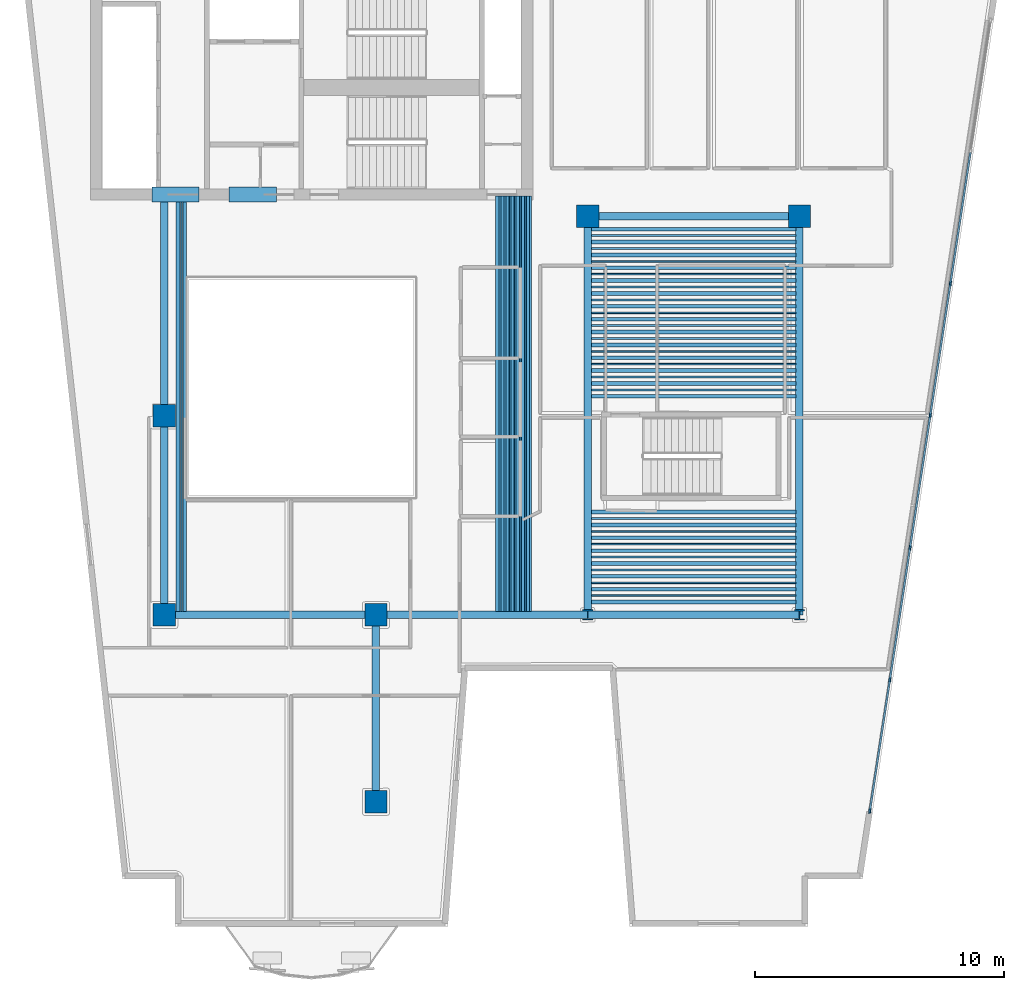
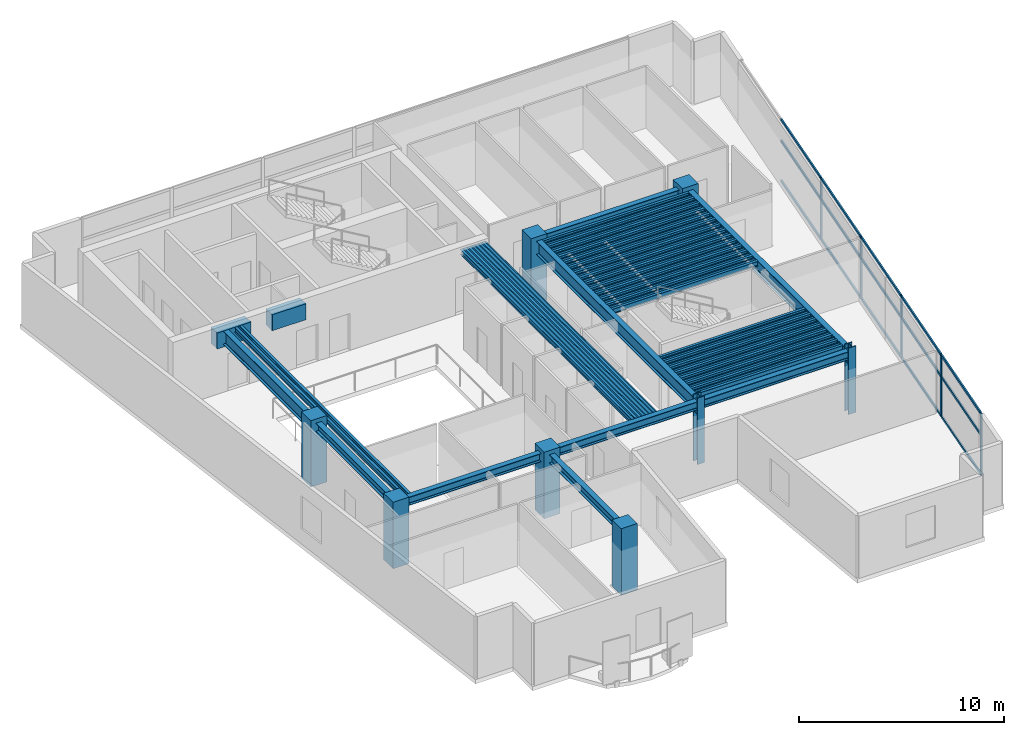
# One storey, part 1 of 8: 70 beams, 20 members, 8 columns, 1 element without a shape of its own.
"""IFC4 building model written with IfcOpenShell, lengths in metres."""

from ifc_helpers import new_model, si_unit, direction, frame, origin, origin_2d, place, context, subcontext, project, spatial, rectangle, hollow_rectangle, i_section, extrude, material, layer, layer_set, material_profile, profile_set, type_object, element, aggregate, save


model = new_model("IFC4")

# Units and contexts
model_context = context("Model", 3, precision=1e-05, world=origin(), true_north=direction((0.0, 1.0)))
body_context = subcontext(model_context, "Body", "Model", "MODEL_VIEW")
ifc_project = project(units=[si_unit("LENGTHUNIT", "METRE"), si_unit("AREAUNIT", "SQUARE_METRE"), si_unit("VOLUMEUNIT", "CUBIC_METRE"), si_unit("PLANEANGLEUNIT", "RADIAN"), si_unit("MASSUNIT", "GRAM", prefix="KILO")], contexts=[model_context])

# Site, building, storey
site_placement = place(None, origin())
site = spatial("IfcSite", under=ifc_project, at=site_placement, CompositionType="ELEMENT")
building_placement = place(site_placement, origin())
building = spatial("IfcBuilding", under=site, at=building_placement, Name="Caeloran Harvest Quay", CompositionType="ELEMENT")
storey_placement = place(building_placement, frame((0.0, 0.0, 243.0)))
storey = spatial("IfcBuildingStorey", under=building, at=storey_placement, Name="L58", CompositionType="ELEMENT", Elevation=243.0)

# Columns
ifc_material_1 = material(Name="Concrete C60/75", Category="concrete")
ifc_material_profile_1 = material_profile(ifc_material_1, rectangle(XDim=0.89990234375, YDim=0.89990234375, at=origin_2d()), Name="RC 900x900")
ifc_profile_set_1 = profile_set([ifc_material_profile_1], Name="Concrete C60/75")
column_type_1 = type_object("IfcColumnType", Name="COL-MC-4-RC_900x900", PredefinedType="COLUMN", material=ifc_profile_set_1)
for number, where, z_axis, x_axis, name in (
    (1, (8.5, 15.0, 0.0), (0.0, 0.0, 1.0), (1.0, 0.0, 0.0), "L58 Structural Column (8.5, 15.0)"),
    (2, (8.5, 23.0, 0.0), (0.0, 0.0, 1.0), (1.0, 0.0, 0.0), "L58 Structural Column (8.5, 23.0)"),
    (3, (17.0, 7.5, 0.0), (0.0, 0.0, 1.0), (1.0, 0.0, 0.0), "L58 Structural Column (17.0, 7.5)"),
    (4, (17.0, 15.0, 0.0), (0.0, 0.0, 1.0), (1.0, 0.0, 0.0), "L58 Structural Column (17.0, 15.0)"),
    (5, (25.5, 31.0, 0.0), (0.0, 0.0, 1.0), (1.0, 0.0, 0.0), "L58 Structural Column (25.5, 31.0)"),
    (6, (34.0, 31.0, 0.0), (0.0, 0.0, 1.0), (1.0, 0.0, 0.0), "L58 Structural Column (34.0, 31.0)"),
):
    element("IfcColumn", number, at=place(storey_placement, frame(where, z_axis=z_axis, x_axis=x_axis)), inside=storey, type_object=column_type_1, Name=name, PredefinedType="COLUMN", context=body_context, shape_type="SweptSolid", body=[
        extrude(rectangle(XDim=0.89990234375, YDim=0.89990234375, at=origin_2d()), origin(), (0.0, 0.0, 1.0), 3.949951171875),
    ])
ifc_material_2 = material(Name="Steel HISTAR 460", Category="steel")
ifc_material_profile_2 = material_profile(ifc_material_2, i_section(OverallWidth=0.406005859375, OverallDepth=0.416015625, WebThickness=0.02978515625, FlangeThickness=0.048095703125, FilletRadius=0.014892578125, at=origin_2d()), Name="HD 400x382")
ifc_profile_set_2 = profile_set([ifc_material_profile_2], Name="Steel HISTAR 460")
column_type_2 = type_object("IfcColumnType", Name="COL-SC-5-HD_400x382", PredefinedType="COLUMN", material=ifc_profile_set_2)
for number, where, z_axis, x_axis, name in (
    (7, (25.5, 15.0, 0.0), (0.0, 0.0, 1.0), (1.0, 0.0, 0.0), "L58 Structural Column (25.5, 15.0)"),
    (8, (34.0, 15.0, 0.0), (0.0, 0.0, 1.0), (1.0, 0.0, 0.0), "L58 Structural Column (34.0, 15.0)"),
):
    element("IfcColumn", number, at=place(storey_placement, frame(where, z_axis=z_axis, x_axis=x_axis)), inside=storey, type_object=column_type_2, Name=name, PredefinedType="COLUMN", context=body_context, shape_type="SweptSolid", body=[
        extrude(i_section(OverallWidth=0.406005859375, OverallDepth=0.416015625, WebThickness=0.02978515625, FlangeThickness=0.048095703125, FilletRadius=0.014892578125, at=origin_2d()), origin(), (0.0, 0.0, 1.0), 3.949951171875),
    ])

# Beams
ifc_material_profile_3 = material_profile(ifc_material_1, rectangle(XDim=0.60009765625, YDim=0.949951171875, at=origin_2d()), Name="RC 600x950")
ifc_profile_set_3 = profile_set([ifc_material_profile_3], Name="Concrete C60/75")
beam_type_1 = type_object("IfcBeamType", Name="BM-CB-2-RC_600x950", PredefinedType="LINTEL", material=ifc_profile_set_3)
for number, where, z_axis, x_axis, name in (
    (9, (8.0, 31.875, 3.22509765625), (1.0, 0.0, 0.0), (0.0, 1.0, 0.0), "L58 Core Coupling Beam 1"),
    (10, (11.10009765625, 31.875, 3.22509765625), (1.0, 0.0, 0.0), (0.0, 1.0, 0.0), "L58 Core Coupling Beam 2"),
):
    element("IfcBeam", number, at=place(storey_placement, frame(where, z_axis=z_axis, x_axis=x_axis)), inside=storey, type_object=beam_type_1, Name=name, PredefinedType="LINTEL", context=body_context, shape_type="SweptSolid", body=[
        extrude(rectangle(XDim=0.60009765625, YDim=0.949951171875, at=origin_2d()), origin(), (0.0, 0.0, 1.0), 1.89990234375),
    ])
ifc_material_3 = material(Name="Steel S355J2", Category="steel")
ifc_material_profile_4 = material_profile(ifc_material_3, i_section(OverallWidth=0.300048828125, OverallDepth=0.800048828125, WebThickness=0.017578125, FlangeThickness=0.032958984375, FilletRadius=0.030029296875, at=origin_2d()), Name="HE 800 B")
ifc_profile_set_4 = profile_set([ifc_material_profile_4], Name="Steel S355J2")
beam_type_2 = type_object("IfcBeamType", Name="BM-PG-1-HE_800_B", PredefinedType="BEAM", material=ifc_profile_set_4)
beam_1_placement = place(storey_placement, frame((8.5, 23.0, 3.300048828125), z_axis=(0.0, 1.0, 0.0), x_axis=(-1.0, 0.0, 0.0)))
element("IfcBeam", 11, at=beam_1_placement, inside=storey, type_object=beam_type_2, Name="L58 Core South Tie Girder X=8.5", PredefinedType="BEAM", context=body_context, shape_type="SweptSolid", body=[
    extrude(i_section(OverallWidth=0.300048828125, OverallDepth=0.800048828125, WebThickness=0.017578125, FlangeThickness=0.032958984375, FilletRadius=0.030029296875, at=origin_2d()), origin(), (0.0, 0.0, 1.0), 8.824951171875),
])
for number, where, z_axis, x_axis, name in (
    (12, (25.5, 15.0, 3.300048828125), (0.0, 1.0, 0.0), (-1.0, 0.0, 0.0), "L58 Primary North-South Girder X=25.5"),
    (13, (34.0, 15.0, 3.300048828125), (0.0, 1.0, 0.0), (-1.0, 0.0, 0.0), "L58 Primary North-South Girder X=34.0"),
):
    element("IfcBeam", number, at=place(storey_placement, frame(where, z_axis=z_axis, x_axis=x_axis)), inside=storey, type_object=beam_type_2, Name=name, PredefinedType="BEAM", context=body_context, shape_type="SweptSolid", body=[
        extrude(i_section(OverallWidth=0.300048828125, OverallDepth=0.800048828125, WebThickness=0.017578125, FlangeThickness=0.032958984375, FilletRadius=0.030029296875, at=origin_2d()), origin(), (0.0, 0.0, 1.0), 16.0),
    ])
ifc_material_profile_5 = material_profile(ifc_material_3, i_section(OverallWidth=0.300048828125, OverallDepth=0.5, WebThickness=0.014404296875, FlangeThickness=0.028076171875, FilletRadius=0.027099609375, at=origin_2d()), Name="HE 500 B")
ifc_profile_set_5 = profile_set([ifc_material_profile_5], Name="Steel S355J2")
beam_type_3 = type_object("IfcBeamType", Name="BM-PG-4-HE_500_B", PredefinedType="BEAM", material=ifc_profile_set_5)
for number, where, z_axis, x_axis, name in (
    (14, (8.5, 15.0, 3.449951171875), (1.0, 0.0, 0.0), (0.0, 1.0, 0.0), "L58 Primary East-West Girder Y=15.0"),
    (15, (17.0, 15.0, 3.449951171875), (1.0, 0.0, 0.0), (0.0, 1.0, 0.0), "L58 Primary East-West Girder Y=15.0"),
    (16, (25.5, 15.0, 3.449951171875), (1.0, 0.0, 0.0), (0.0, 1.0, 0.0), "L58 Primary East-West Girder Y=15.0"),
    (17, (25.5, 31.0, 3.449951171875), (1.0, 0.0, 0.0), (0.0, 1.0, 0.0), "L58 Primary East-West Girder Y=31.0"),
):
    element("IfcBeam", number, at=place(storey_placement, frame(where, z_axis=z_axis, x_axis=x_axis)), inside=storey, type_object=beam_type_3, Name=name, PredefinedType="BEAM", context=body_context, shape_type="SweptSolid", body=[
        extrude(i_section(OverallWidth=0.300048828125, OverallDepth=0.5, WebThickness=0.014404296875, FlangeThickness=0.028076171875, FilletRadius=0.027099609375, at=origin_2d()), origin(), (0.0, 0.0, 1.0), 8.5),
    ])
beam_2_placement = place(storey_placement, frame((8.5, 15.0, 3.449951171875), z_axis=(0.0, 1.0, 0.0), x_axis=(-1.0, 0.0, 0.0)))
element("IfcBeam", 18, at=beam_2_placement, inside=storey, type_object=beam_type_3, Name="L58 Primary North-South Girder X=8.5", PredefinedType="BEAM", context=body_context, shape_type="SweptSolid", body=[
    extrude(i_section(OverallWidth=0.300048828125, OverallDepth=0.5, WebThickness=0.014404296875, FlangeThickness=0.028076171875, FilletRadius=0.027099609375, at=origin_2d()), origin(), (0.0, 0.0, 1.0), 8.0),
])
beam_3_placement = place(storey_placement, frame((17.0, 7.5, 3.449951171875), z_axis=(0.0, 1.0, 0.0), x_axis=(-1.0, 0.0, 0.0)))
element("IfcBeam", 19, at=beam_3_placement, inside=storey, type_object=beam_type_3, Name="L58 Primary North-South Girder X=17.0", PredefinedType="BEAM", context=body_context, shape_type="SweptSolid", body=[
    extrude(i_section(OverallWidth=0.300048828125, OverallDepth=0.5, WebThickness=0.014404296875, FlangeThickness=0.028076171875, FilletRadius=0.027099609375, at=origin_2d()), origin(), (0.0, 0.0, 1.0), 7.5),
])
ifc_material_profile_6 = material_profile(ifc_material_3, i_section(OverallWidth=0.14990234375, OverallDepth=0.300048828125, WebThickness=0.007080078125, FlangeThickness=0.0107421875, FilletRadius=0.014892578125, at=origin_2d()), Name="IPE 300")
ifc_profile_set_6 = profile_set([ifc_material_profile_6], Name="Steel S355J2")
beam_type_4 = type_object("IfcBeamType", Name="BM-SB-6-IPE_300", PredefinedType="JOIST", material=ifc_profile_set_6)
for number, where, z_axis, x_axis, name in (
    (20, (9.04833984375, 15.14501953125, 3.550048828125), (0.0, 1.0, 0.0), (-1.0, 0.0, 0.0), "L58 Secondary Composite Joist"),
    (21, (9.322509765625, 15.14501953125, 3.550048828125), (0.0, 1.0, 0.0), (-1.0, 0.0, 0.0), "L58 Secondary Composite Joist"),
    (22, (21.87744140625, 15.14501953125, 3.550048828125), (0.0, 1.0, 0.0), (-1.0, 0.0, 0.0), "L58 Secondary Composite Joist"),
    (23, (22.08056640625, 15.14501953125, 3.550048828125), (0.0, 1.0, 0.0), (-1.0, 0.0, 0.0), "L58 Secondary Composite Joist"),
    (24, (22.283935546875, 15.14501953125, 3.550048828125), (0.0, 1.0, 0.0), (-1.0, 0.0, 0.0), "L58 Secondary Composite Joist"),
    (25, (22.487060546875, 15.14501953125, 3.550048828125), (0.0, 1.0, 0.0), (-1.0, 0.0, 0.0), "L58 Secondary Composite Joist"),
    (26, (22.690185546875, 15.14501953125, 3.550048828125), (0.0, 1.0, 0.0), (-1.0, 0.0, 0.0), "L58 Secondary Composite Joist"),
    (27, (22.8935546875, 15.14501953125, 3.550048828125), (0.0, 1.0, 0.0), (-1.0, 0.0, 0.0), "L58 Secondary Composite Joist"),
    (28, (23.0966796875, 15.14501953125, 3.550048828125), (0.0, 1.0, 0.0), (-1.0, 0.0, 0.0), "L58 Secondary Composite Joist"),
):
    element("IfcBeam", number, at=place(storey_placement, frame(where, z_axis=z_axis, x_axis=x_axis)), inside=storey, type_object=beam_type_4, Name=name, PredefinedType="JOIST", context=body_context, shape_type="SweptSolid", body=[
        extrude(i_section(OverallWidth=0.14990234375, OverallDepth=0.300048828125, WebThickness=0.007080078125, FlangeThickness=0.0107421875, FilletRadius=0.014892578125, at=origin_2d()), origin(), (0.0, 0.0, 1.0), 16.679931640625),
    ])
for number, where, z_axis, x_axis, name in (
    (29, (25.64501953125, 15.51611328125, 3.550048828125), (1.0, 0.0, 0.0), (0.0, 1.0, 0.0), "L58 Secondary East-West Composite Joist"),
    (30, (25.64501953125, 16.0322265625, 3.550048828125), (1.0, 0.0, 0.0), (0.0, 1.0, 0.0), "L58 Secondary East-West Composite Joist"),
    (31, (25.64501953125, 16.54833984375, 3.550048828125), (1.0, 0.0, 0.0), (0.0, 1.0, 0.0), "L58 Secondary East-West Composite Joist"),
    (32, (25.64501953125, 17.064453125, 3.550048828125), (1.0, 0.0, 0.0), (0.0, 1.0, 0.0), "L58 Secondary East-West Composite Joist"),
    (33, (25.64501953125, 17.58056640625, 3.550048828125), (1.0, 0.0, 0.0), (0.0, 1.0, 0.0), "L58 Secondary East-West Composite Joist"),
    (34, (25.64501953125, 18.0966796875, 3.550048828125), (1.0, 0.0, 0.0), (0.0, 1.0, 0.0), "L58 Secondary East-West Composite Joist"),
    (35, (25.64501953125, 18.61279296875, 3.550048828125), (1.0, 0.0, 0.0), (0.0, 1.0, 0.0), "L58 Secondary East-West Composite Joist"),
    (36, (25.64501953125, 19.12890625, 3.550048828125), (1.0, 0.0, 0.0), (0.0, 1.0, 0.0), "L58 Secondary East-West Composite Joist"),
    (37, (25.64501953125, 23.774169921875, 3.550048828125), (1.0, 0.0, 0.0), (0.0, 1.0, 0.0), "L58 Secondary East-West Composite Joist"),
    (38, (25.64501953125, 24.290283203125, 3.550048828125), (1.0, 0.0, 0.0), (0.0, 1.0, 0.0), "L58 Secondary East-West Composite Joist"),
    (39, (25.64501953125, 24.806396484375, 3.550048828125), (1.0, 0.0, 0.0), (0.0, 1.0, 0.0), "L58 Secondary East-West Composite Joist"),
    (40, (25.64501953125, 25.322509765625, 3.550048828125), (1.0, 0.0, 0.0), (0.0, 1.0, 0.0), "L58 Secondary East-West Composite Joist"),
    (41, (25.64501953125, 25.838623046875, 3.550048828125), (1.0, 0.0, 0.0), (0.0, 1.0, 0.0), "L58 Secondary East-West Composite Joist"),
    (42, (25.64501953125, 26.354736328125, 3.550048828125), (1.0, 0.0, 0.0), (0.0, 1.0, 0.0), "L58 Secondary East-West Composite Joist"),
    (43, (25.64501953125, 26.87109375, 3.550048828125), (1.0, 0.0, 0.0), (0.0, 1.0, 0.0), "L58 Secondary East-West Composite Joist"),
    (44, (25.64501953125, 27.38720703125, 3.550048828125), (1.0, 0.0, 0.0), (0.0, 1.0, 0.0), "L58 Secondary East-West Composite Joist"),
    (45, (25.64501953125, 27.9033203125, 3.550048828125), (1.0, 0.0, 0.0), (0.0, 1.0, 0.0), "L58 Secondary East-West Composite Joist"),
    (46, (25.64501953125, 28.41943359375, 3.550048828125), (1.0, 0.0, 0.0), (0.0, 1.0, 0.0), "L58 Secondary East-West Composite Joist"),
    (47, (25.64501953125, 28.935546875, 3.550048828125), (1.0, 0.0, 0.0), (0.0, 1.0, 0.0), "L58 Secondary East-West Composite Joist"),
    (48, (25.64501953125, 29.45166015625, 3.550048828125), (1.0, 0.0, 0.0), (0.0, 1.0, 0.0), "L58 Secondary East-West Composite Joist"),
    (49, (25.64501953125, 29.9677734375, 3.550048828125), (1.0, 0.0, 0.0), (0.0, 1.0, 0.0), "L58 Secondary East-West Composite Joist"),
    (50, (25.64501953125, 30.48388671875, 3.550048828125), (1.0, 0.0, 0.0), (0.0, 1.0, 0.0), "L58 Secondary East-West Composite Joist"),
):
    element("IfcBeam", number, at=place(storey_placement, frame(where, z_axis=z_axis, x_axis=x_axis)), inside=storey, type_object=beam_type_4, Name=name, PredefinedType="JOIST", context=body_context, shape_type="SweptSolid", body=[
        extrude(i_section(OverallWidth=0.14990234375, OverallDepth=0.300048828125, WebThickness=0.007080078125, FlangeThickness=0.0107421875, FilletRadius=0.014892578125, at=origin_2d()), origin(), (0.0, 0.0, 1.0), 8.2099609375),
    ])
ifc_material_profile_7 = material_profile(ifc_material_3, hollow_rectangle(XDim=0.080078125, YDim=0.199951171875, WallThickness=0.006103515625, InnerFilletRadius=0.006103515625, OuterFilletRadius=0.009033203125, at=origin_2d()), Name="RHS 200x80x6")
ifc_profile_set_7 = profile_set([ifc_material_profile_7], Name="Steel S355J2")
beam_type_5 = type_object("IfcBeamType", Name="BM-SB-7-RHS_200x80x6", PredefinedType="JOIST", material=ifc_profile_set_7)
for number, where, z_axis, x_axis, name in (
    (51, (9.185546875, 15.14501953125, 3.60009765625), (0.0, 1.0, 0.0), (-1.0, 0.0, 0.0), "L58 Secondary Composite Joist"),
    (52, (21.97900390625, 15.14501953125, 3.60009765625), (0.0, 1.0, 0.0), (-1.0, 0.0, 0.0), "L58 Secondary Composite Joist"),
    (53, (22.182373046875, 15.14501953125, 3.60009765625), (0.0, 1.0, 0.0), (-1.0, 0.0, 0.0), "L58 Secondary Composite Joist"),
    (54, (22.385498046875, 15.14501953125, 3.60009765625), (0.0, 1.0, 0.0), (-1.0, 0.0, 0.0), "L58 Secondary Composite Joist"),
    (55, (22.588623046875, 15.14501953125, 3.60009765625), (0.0, 1.0, 0.0), (-1.0, 0.0, 0.0), "L58 Secondary Composite Joist"),
    (56, (22.7919921875, 15.14501953125, 3.60009765625), (0.0, 1.0, 0.0), (-1.0, 0.0, 0.0), "L58 Secondary Composite Joist"),
    (57, (22.9951171875, 15.14501953125, 3.60009765625), (0.0, 1.0, 0.0), (-1.0, 0.0, 0.0), "L58 Secondary Composite Joist"),
    (58, (23.198486328125, 15.14501953125, 3.60009765625), (0.0, 1.0, 0.0), (-1.0, 0.0, 0.0), "L58 Secondary Composite Joist"),
):
    element("IfcBeam", number, at=place(storey_placement, frame(where, z_axis=z_axis, x_axis=x_axis)), inside=storey, type_object=beam_type_5, Name=name, PredefinedType="JOIST", context=body_context, shape_type="SweptSolid", body=[
        extrude(hollow_rectangle(XDim=0.080078125, YDim=0.199951171875, WallThickness=0.006103515625, InnerFilletRadius=0.006103515625, OuterFilletRadius=0.009033203125, at=origin_2d()), origin(), (0.0, 0.0, 1.0), 16.679931640625),
    ])
for number, where, z_axis, x_axis, name in (
    (59, (25.64501953125, 15.774169921875, 3.60009765625), (1.0, 0.0, 0.0), (0.0, 1.0, 0.0), "L58 Secondary East-West Composite Joist"),
    (60, (25.64501953125, 16.290283203125, 3.60009765625), (1.0, 0.0, 0.0), (0.0, 1.0, 0.0), "L58 Secondary East-West Composite Joist"),
    (61, (25.64501953125, 16.806396484375, 3.60009765625), (1.0, 0.0, 0.0), (0.0, 1.0, 0.0), "L58 Secondary East-West Composite Joist"),
    (62, (25.64501953125, 17.322509765625, 3.60009765625), (1.0, 0.0, 0.0), (0.0, 1.0, 0.0), "L58 Secondary East-West Composite Joist"),
    (63, (25.64501953125, 17.838623046875, 3.60009765625), (1.0, 0.0, 0.0), (0.0, 1.0, 0.0), "L58 Secondary East-West Composite Joist"),
    (64, (25.64501953125, 18.354736328125, 3.60009765625), (1.0, 0.0, 0.0), (0.0, 1.0, 0.0), "L58 Secondary East-West Composite Joist"),
    (65, (25.64501953125, 18.87109375, 3.60009765625), (1.0, 0.0, 0.0), (0.0, 1.0, 0.0), "L58 Secondary East-West Composite Joist"),
    (66, (25.64501953125, 24.0322265625, 3.60009765625), (1.0, 0.0, 0.0), (0.0, 1.0, 0.0), "L58 Secondary East-West Composite Joist"),
    (67, (25.64501953125, 24.54833984375, 3.60009765625), (1.0, 0.0, 0.0), (0.0, 1.0, 0.0), "L58 Secondary East-West Composite Joist"),
    (68, (25.64501953125, 25.064453125, 3.60009765625), (1.0, 0.0, 0.0), (0.0, 1.0, 0.0), "L58 Secondary East-West Composite Joist"),
    (69, (25.64501953125, 25.58056640625, 3.60009765625), (1.0, 0.0, 0.0), (0.0, 1.0, 0.0), "L58 Secondary East-West Composite Joist"),
    (70, (25.64501953125, 26.0966796875, 3.60009765625), (1.0, 0.0, 0.0), (0.0, 1.0, 0.0), "L58 Secondary East-West Composite Joist"),
    (71, (25.64501953125, 26.61279296875, 3.60009765625), (1.0, 0.0, 0.0), (0.0, 1.0, 0.0), "L58 Secondary East-West Composite Joist"),
    (72, (25.64501953125, 27.12890625, 3.60009765625), (1.0, 0.0, 0.0), (0.0, 1.0, 0.0), "L58 Secondary East-West Composite Joist"),
    (73, (25.64501953125, 27.645263671875, 3.60009765625), (1.0, 0.0, 0.0), (0.0, 1.0, 0.0), "L58 Secondary East-West Composite Joist"),
    (74, (25.64501953125, 28.161376953125, 3.60009765625), (1.0, 0.0, 0.0), (0.0, 1.0, 0.0), "L58 Secondary East-West Composite Joist"),
    (75, (25.64501953125, 28.677490234375, 3.60009765625), (1.0, 0.0, 0.0), (0.0, 1.0, 0.0), "L58 Secondary East-West Composite Joist"),
    (76, (25.64501953125, 29.193603515625, 3.60009765625), (1.0, 0.0, 0.0), (0.0, 1.0, 0.0), "L58 Secondary East-West Composite Joist"),
    (77, (25.64501953125, 29.709716796875, 3.60009765625), (1.0, 0.0, 0.0), (0.0, 1.0, 0.0), "L58 Secondary East-West Composite Joist"),
    (78, (25.64501953125, 30.225830078125, 3.60009765625), (1.0, 0.0, 0.0), (0.0, 1.0, 0.0), "L58 Secondary East-West Composite Joist"),
):
    element("IfcBeam", number, at=place(storey_placement, frame(where, z_axis=z_axis, x_axis=x_axis)), inside=storey, type_object=beam_type_5, Name=name, PredefinedType="JOIST", context=body_context, shape_type="SweptSolid", body=[
        extrude(hollow_rectangle(XDim=0.080078125, YDim=0.199951171875, WallThickness=0.006103515625, InnerFilletRadius=0.006103515625, OuterFilletRadius=0.009033203125, at=origin_2d()), origin(), (0.0, 0.0, 1.0), 8.2099609375),
    ])

# Curtain wall, members
ifc_material_4 = material(Name="Aluminium 6063-T6 and Low-E Glazing", Category="aluminium")
ifc_layer = layer(ifc_material_4, 0.219970703125, Name="Aluminium 6063-T6 and Low-E Glazing")
ifc_layer_set = layer_set([ifc_layer], Name="Aluminium 6063-T6 and Low-E Glazing")
curtain_wall_type = type_object("IfcCurtainWallType", Name="CW-SYS-CW-5", PredefinedType="USERDEFINED", material=ifc_layer_set)
curtain_wall_placement = place(storey_placement, origin())
curtain_wall = element("IfcCurtainWall", 79, at=curtain_wall_placement, inside=storey, type_object=curtain_wall_type, Name="L58 Unitised Curtain Wall CW-5 Run 9", ObjectType="CURTAIN_WALL", PredefinedType="USERDEFINED")
ifc_material_5 = material(Name="Aluminium 6063-T6", Category="aluminium")
ifc_material_profile_8 = material_profile(ifc_material_5, rectangle(XDim=0.080078125, YDim=0.179931640625, at=origin_2d()), Name="CW-MULLION-180")
ifc_profile_set_8 = profile_set([ifc_material_profile_8], Name="Aluminium 6063-T6")
member_type_1 = type_object("IfcMemberType", Name="CW-MULLION-180", PredefinedType="MULLION", material=ifc_profile_set_8)
member_1_placement = place(storey_placement, frame((40.056884765625, 28.30322265625, 0.0), z_axis=(0.0, 0.0, 1.0), x_axis=(0.988529547698, -0.151027591278, 0.0)))
member_1 = element("IfcMember", 80, at=member_1_placement, type_object=member_type_1, Name="CW-5 mullion 3", PredefinedType="MULLION", context=body_context, shape_type="SweptSolid", body=[
    extrude(rectangle(XDim=0.080078125, YDim=0.179931640625, at=origin_2d()), origin(), (0.0, 0.0, 1.0), 3.699951171875),
])
member_2_placement = place(storey_placement, frame((39.24658203125, 23.0, 0.0), z_axis=(0.0, 0.0, 1.0), x_axis=(0.988529547698, -0.151027591278, 0.0)))
member_2 = element("IfcMember", 81, at=member_2_placement, type_object=member_type_1, Name="CW-5 mullion 4", PredefinedType="MULLION", context=body_context, shape_type="SweptSolid", body=[
    extrude(rectangle(XDim=0.080078125, YDim=0.179931640625, at=origin_2d()), origin(), (0.0, 0.0, 1.0), 3.699951171875),
])
member_3_placement = place(storey_placement, frame((38.436279296875, 17.69677734375, 0.0), z_axis=(0.0, 0.0, 1.0), x_axis=(0.988529547698, -0.151027591278, 0.0)))
member_3 = element("IfcMember", 82, at=member_3_placement, type_object=member_type_1, Name="CW-5 mullion 5", PredefinedType="MULLION", context=body_context, shape_type="SweptSolid", body=[
    extrude(rectangle(XDim=0.080078125, YDim=0.179931640625, at=origin_2d()), origin(), (0.0, 0.0, 1.0), 3.699951171875),
])
member_4_placement = place(storey_placement, frame((37.626220703125, 12.3935546875, 0.0), z_axis=(0.0, 0.0, 1.0), x_axis=(0.988529547698, -0.151027591278, 0.0)))
member_4 = element("IfcMember", 83, at=member_4_placement, type_object=member_type_1, Name="CW-5 mullion 6", PredefinedType="MULLION", context=body_context, shape_type="SweptSolid", body=[
    extrude(rectangle(XDim=0.080078125, YDim=0.179931640625, at=origin_2d()), origin(), (0.0, 0.0, 1.0), 3.699951171875),
])
member_5_placement = place(storey_placement, frame((36.822021484375, 7.129638671875, 0.0), z_axis=(0.0, 0.0, 1.0), x_axis=(0.988529547698, -0.151027591278, 0.0)))
member_5 = element("IfcMember", 84, at=member_5_placement, type_object=member_type_1, Name="CW-5 mullion 7", PredefinedType="MULLION", context=body_context, shape_type="SweptSolid", body=[
    extrude(rectangle(XDim=0.080078125, YDim=0.179931640625, at=origin_2d()), origin(), (0.0, 0.0, 1.0), 3.699951171875),
])
ifc_material_profile_9 = material_profile(ifc_material_5, rectangle(XDim=0.080078125, YDim=0.14990234375, at=origin_2d()), Name="CW-TRANSOM-150")
ifc_profile_set_9 = profile_set([ifc_material_profile_9], Name="Aluminium 6063-T6")
member_type_2 = type_object("IfcMemberType", Name="CW-TRANSOM-150", PredefinedType="USERDEFINED", material=ifc_profile_set_9)
member_6_placement = place(storey_placement, frame((40.861083984375, 33.56689453125, 0.0400390625), z_axis=(-0.151019128787, -0.988530840561, 0.0), x_axis=(0.988530840561, -0.151019128787, 0.0)))
member_6 = element("IfcMember", 85, at=member_6_placement, type_object=member_type_2, Name="CW-5 transom 2.1", ObjectType="TRANSOM", PredefinedType="USERDEFINED", context=body_context, shape_type="SweptSolid", body=[
    extrude(rectangle(XDim=0.080078125, YDim=0.14990234375, at=origin_2d()), origin(), (0.0, 0.0, 1.0), 5.28466796875),
])
member_7_placement = place(storey_placement, frame((40.861083984375, 33.56689453125, 2.39990234375), z_axis=(-0.151019128787, -0.988530840561, 0.0), x_axis=(0.988530840561, -0.151019128787, 0.0)))
member_7 = element("IfcMember", 86, at=member_7_placement, type_object=member_type_2, Name="CW-5 transom 2.2", ObjectType="TRANSOM", PredefinedType="USERDEFINED", context=body_context, shape_type="SweptSolid", body=[
    extrude(rectangle(XDim=0.080078125, YDim=0.14990234375, at=origin_2d()), origin(), (0.0, 0.0, 1.0), 5.28466796875),
])
member_8_placement = place(storey_placement, frame((40.861083984375, 33.56689453125, 3.659912109375), z_axis=(-0.151019128787, -0.988530840561, 0.0), x_axis=(0.988530840561, -0.151019128787, 0.0)))
member_8 = element("IfcMember", 87, at=member_8_placement, type_object=member_type_2, Name="CW-5 transom 2.3", ObjectType="TRANSOM", PredefinedType="USERDEFINED", context=body_context, shape_type="SweptSolid", body=[
    extrude(rectangle(XDim=0.080078125, YDim=0.14990234375, at=origin_2d()), origin(), (0.0, 0.0, 1.0), 5.28466796875),
])
member_9_placement = place(storey_placement, frame((40.05078125, 28.263671875, 0.0400390625), z_axis=(-0.151019128787, -0.988530840561, 0.0), x_axis=(0.988530840561, -0.151019128787, 0.0)))
member_9 = element("IfcMember", 88, at=member_9_placement, type_object=member_type_2, Name="CW-5 transom 3.1", ObjectType="TRANSOM", PredefinedType="USERDEFINED", context=body_context, shape_type="SweptSolid", body=[
    extrude(rectangle(XDim=0.080078125, YDim=0.14990234375, at=origin_2d()), origin(), (0.0, 0.0, 1.0), 5.28466796875),
])
member_10_placement = place(storey_placement, frame((40.05078125, 28.263671875, 2.39990234375), z_axis=(-0.151019128787, -0.988530840561, 0.0), x_axis=(0.988530840561, -0.151019128787, 0.0)))
member_10 = element("IfcMember", 89, at=member_10_placement, type_object=member_type_2, Name="CW-5 transom 3.2", ObjectType="TRANSOM", PredefinedType="USERDEFINED", context=body_context, shape_type="SweptSolid", body=[
    extrude(rectangle(XDim=0.080078125, YDim=0.14990234375, at=origin_2d()), origin(), (0.0, 0.0, 1.0), 5.28466796875),
])
member_11_placement = place(storey_placement, frame((40.05078125, 28.263671875, 3.659912109375), z_axis=(-0.151019128787, -0.988530840561, 0.0), x_axis=(0.988530840561, -0.151019128787, 0.0)))
member_11 = element("IfcMember", 90, at=member_11_placement, type_object=member_type_2, Name="CW-5 transom 3.3", ObjectType="TRANSOM", PredefinedType="USERDEFINED", context=body_context, shape_type="SweptSolid", body=[
    extrude(rectangle(XDim=0.080078125, YDim=0.14990234375, at=origin_2d()), origin(), (0.0, 0.0, 1.0), 5.28466796875),
])
member_12_placement = place(storey_placement, frame((39.240478515625, 22.96044921875, 0.0400390625), z_axis=(-0.151019128787, -0.988530840561, 0.0), x_axis=(0.988530840561, -0.151019128787, 0.0)))
member_12 = element("IfcMember", 91, at=member_12_placement, type_object=member_type_2, Name="CW-5 transom 4.1", ObjectType="TRANSOM", PredefinedType="USERDEFINED", context=body_context, shape_type="SweptSolid", body=[
    extrude(rectangle(XDim=0.080078125, YDim=0.14990234375, at=origin_2d()), origin(), (0.0, 0.0, 1.0), 5.28466796875),
])
member_13_placement = place(storey_placement, frame((39.240478515625, 22.96044921875, 2.39990234375), z_axis=(-0.151019128787, -0.988530840561, 0.0), x_axis=(0.988530840561, -0.151019128787, 0.0)))
member_13 = element("IfcMember", 92, at=member_13_placement, type_object=member_type_2, Name="CW-5 transom 4.2", ObjectType="TRANSOM", PredefinedType="USERDEFINED", context=body_context, shape_type="SweptSolid", body=[
    extrude(rectangle(XDim=0.080078125, YDim=0.14990234375, at=origin_2d()), origin(), (0.0, 0.0, 1.0), 5.28466796875),
])
member_14_placement = place(storey_placement, frame((39.240478515625, 22.96044921875, 3.659912109375), z_axis=(-0.151019128787, -0.988530840561, 0.0), x_axis=(0.988530840561, -0.151019128787, 0.0)))
member_14 = element("IfcMember", 93, at=member_14_placement, type_object=member_type_2, Name="CW-5 transom 4.3", ObjectType="TRANSOM", PredefinedType="USERDEFINED", context=body_context, shape_type="SweptSolid", body=[
    extrude(rectangle(XDim=0.080078125, YDim=0.14990234375, at=origin_2d()), origin(), (0.0, 0.0, 1.0), 5.28466796875),
])
member_15_placement = place(storey_placement, frame((38.430419921875, 17.6572265625, 0.0400390625), z_axis=(-0.15106427205, -0.988523942912, 0.0), x_axis=(0.988523942912, -0.15106427205, 0.0)))
member_15 = element("IfcMember", 94, at=member_15_placement, type_object=member_type_2, Name="CW-5 transom 5.1", ObjectType="TRANSOM", PredefinedType="USERDEFINED", context=body_context, shape_type="SweptSolid", body=[
    extrude(rectangle(XDim=0.080078125, YDim=0.14990234375, at=origin_2d()), origin(), (0.0, 0.0, 1.0), 5.28466796875),
])
member_16_placement = place(storey_placement, frame((38.430419921875, 17.6572265625, 2.39990234375), z_axis=(-0.15106427205, -0.988523942912, 0.0), x_axis=(0.988523942912, -0.15106427205, 0.0)))
member_16 = element("IfcMember", 95, at=member_16_placement, type_object=member_type_2, Name="CW-5 transom 5.2", ObjectType="TRANSOM", PredefinedType="USERDEFINED", context=body_context, shape_type="SweptSolid", body=[
    extrude(rectangle(XDim=0.080078125, YDim=0.14990234375, at=origin_2d()), origin(), (0.0, 0.0, 1.0), 5.28466796875),
])
member_17_placement = place(storey_placement, frame((38.430419921875, 17.6572265625, 3.659912109375), z_axis=(-0.15106427205, -0.988523942912, 0.0), x_axis=(0.988523942912, -0.15106427205, 0.0)))
member_17 = element("IfcMember", 96, at=member_17_placement, type_object=member_type_2, Name="CW-5 transom 5.3", ObjectType="TRANSOM", PredefinedType="USERDEFINED", context=body_context, shape_type="SweptSolid", body=[
    extrude(rectangle(XDim=0.080078125, YDim=0.14990234375, at=origin_2d()), origin(), (0.0, 0.0, 1.0), 5.28466796875),
])
member_18_placement = place(storey_placement, frame((37.6201171875, 12.35400390625, 0.0400390625), z_axis=(-0.151046246318, -0.9885266974, 0.0), x_axis=(0.9885266974, -0.151046246318, 0.0)))
member_18 = element("IfcMember", 97, at=member_18_placement, type_object=member_type_2, Name="CW-5 transom 6.1", ObjectType="TRANSOM", PredefinedType="USERDEFINED", context=body_context, shape_type="SweptSolid", body=[
    extrude(rectangle(XDim=0.080078125, YDim=0.14990234375, at=origin_2d()), origin(), (0.0, 0.0, 1.0), 5.244873046875),
])
member_19_placement = place(storey_placement, frame((37.6201171875, 12.35400390625, 2.39990234375), z_axis=(-0.151046246318, -0.9885266974, 0.0), x_axis=(0.9885266974, -0.151046246318, 0.0)))
member_19 = element("IfcMember", 98, at=member_19_placement, type_object=member_type_2, Name="CW-5 transom 6.2", ObjectType="TRANSOM", PredefinedType="USERDEFINED", context=body_context, shape_type="SweptSolid", body=[
    extrude(rectangle(XDim=0.080078125, YDim=0.14990234375, at=origin_2d()), origin(), (0.0, 0.0, 1.0), 5.244873046875),
])
member_20_placement = place(storey_placement, frame((37.6201171875, 12.35400390625, 3.659912109375), z_axis=(-0.151046246318, -0.9885266974, 0.0), x_axis=(0.9885266974, -0.151046246318, 0.0)))
member_20 = element("IfcMember", 99, at=member_20_placement, type_object=member_type_2, Name="CW-5 transom 6.3", ObjectType="TRANSOM", PredefinedType="USERDEFINED", context=body_context, shape_type="SweptSolid", body=[
    extrude(rectangle(XDim=0.080078125, YDim=0.14990234375, at=origin_2d()), origin(), (0.0, 0.0, 1.0), 5.244873046875),
])
aggregate(curtain_wall, [member_1, member_2, member_3, member_4, member_5, member_6, member_7, member_8, member_9, member_10, member_11, member_12, member_13, member_14, member_15, member_16, member_17, member_18, member_19, member_20])

save(model, "model.ifc")
